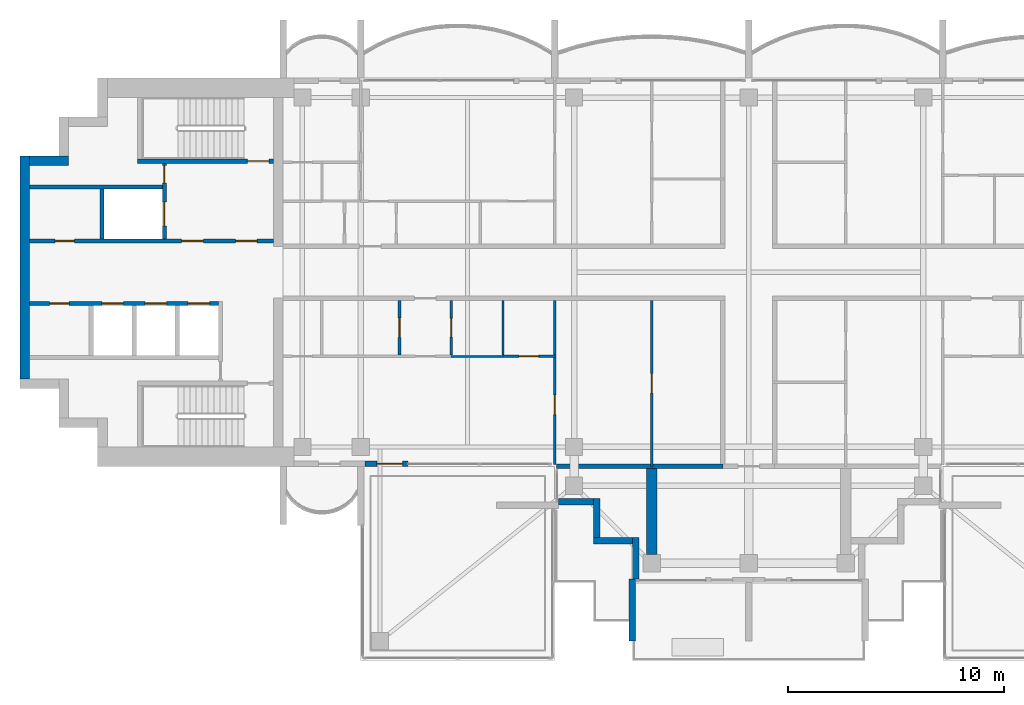
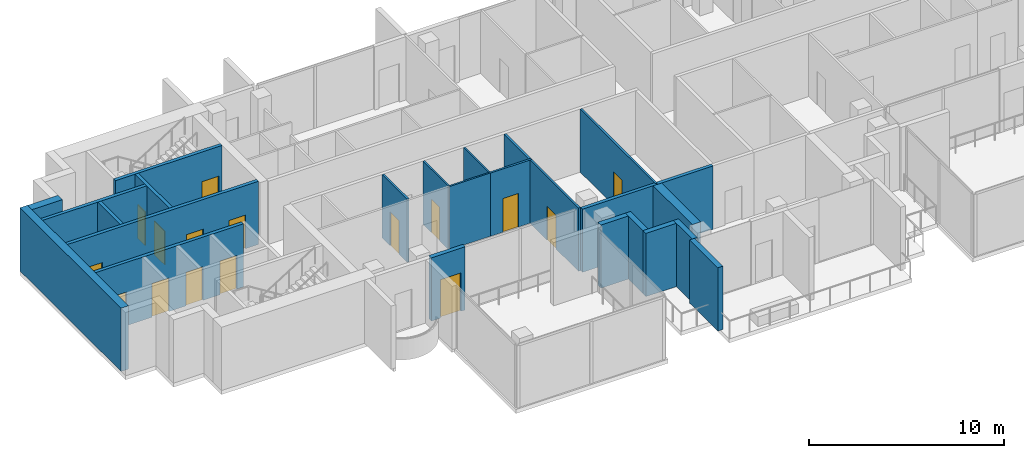
# One storey, part 7 of 16: 23 walls, 16 doors, 16 openings.
"""IFC4 building model written with IfcOpenShell, lengths in metres."""

from ifc_helpers import new_model, si_unit, direction, frame, frame_2d, origin, place, context, subcontext, project, spatial, polyline, rectangle, outline, extrude, material, layer, layer_set, material_profile, profile_set, type_object, element, fill, save


model = new_model("IFC4")

# Units and contexts
model_context = context("Model", 3, precision=1e-05, world=origin(), true_north=direction((0.0, 1.0)))
body_context = subcontext(model_context, "Body", "Model", "MODEL_VIEW")
ifc_project = project(units=[si_unit("LENGTHUNIT", "METRE"), si_unit("AREAUNIT", "SQUARE_METRE"), si_unit("VOLUMEUNIT", "CUBIC_METRE"), si_unit("PLANEANGLEUNIT", "RADIAN"), si_unit("MASSUNIT", "GRAM", prefix="KILO")], contexts=[model_context])

# Site, building, storey
site_placement = place(None, origin())
site = spatial("IfcSite", under=ifc_project, at=site_placement, CompositionType="ELEMENT")
building_placement = place(site_placement, origin())
building = spatial("IfcBuilding", under=site, at=building_placement, Name="Perihelion Cross Residences", CompositionType="ELEMENT")
storey_placement = place(building_placement, frame((0.0, 0.0, 290.39990234375)))
storey = spatial("IfcBuildingStorey", under=building, at=storey_placement, Name="L74", CompositionType="ELEMENT", Elevation=290.39990234375)

# Wall
ifc_material_1 = material(Name="Plasterboard partition")
ifc_layer_1 = layer(ifc_material_1, 0.199951171875)
ifc_layer_set_1 = layer_set([ifc_layer_1], Name="Apartment separation wall 200")
wall_type_1 = type_object("IfcWallType", Name="Apartment separation wall 200", PredefinedType="PARTITIONING", material=ifc_layer_set_1)
wall_1_placement = place(storey_placement, frame((-1.199951171875, -9.0, 0.0), z_axis=(0.0, 0.0, 1.0), x_axis=(-1.0, 0.0, 0.0)))
element("IfcWall", 1, at=wall_1_placement, inside=storey, type_object=wall_type_1, Name="Partition L74 W059", PredefinedType="PARTITIONING", context=body_context, shape_type="SweptSolid", body=[
    extrude(rectangle(XDim=7.719970703125, YDim=0.199951171875, at=frame_2d((3.85986328125, 0.0))), origin(), (0.0, 0.0, 1.0), 3.9501953125),
])

# Wall, opening, door
ifc_material_2 = material(Name="Concrete C30/37, bronze-clad", Category="concrete")
ifc_layer_2 = layer(ifc_material_2, 0.25)
ifc_layer_set_2 = layer_set([ifc_layer_2], Name="Bronze-clad pier wall 250")
wall_type_2 = type_object("IfcWallType", Name="Bronze-clad pier wall 250", PredefinedType="SOLIDWALL", material=ifc_layer_set_2)
wall_2_placement = place(storey_placement, frame((-17.800048828125, -8.875, 0.0), z_axis=(0.0, 0.0, 1.0), x_axis=(1.0, 0.0, 0.0)))
wall_2 = element("IfcWall", 2, at=wall_2_placement, inside=storey, type_object=wall_type_2, Name="Wall FW1 L74 west side south bay 2 pier", PredefinedType="SOLIDWALL", context=body_context, shape_type="SweptSolid", body=[
    extrude(rectangle(XDim=2.0, YDim=0.25, at=frame_2d((1.0, 0.0))), origin(), (0.0, 0.0, 1.0), 3.9501953125),
])
opening_1_placement = place(wall_2_placement, frame((0.550048828125, 0.0, 0.0)))
opening_1 = element("IfcOpeningElement", 3, at=opening_1_placement, cuts=wall_2, Name="Opening L74.E08", PredefinedType="OPENING", context=body_context, shape_type="SweptSolid", body=[
    extrude(rectangle(XDim=1.199951171875, YDim=2.39990234375, at=frame_2d((0.60009765625, 1.199951171875))), frame((0.0, 0.135009765625, 0.0), z_axis=(0.0, -1.0, 0.0), x_axis=(1.0, 0.0, 0.0)), (0.0, 0.0, 1.0), 0.27001953125),
])
ifc_material_3 = material(Name="Bronze anodised aluminium, glazed", Category="aluminium")
door_type_1 = type_object("IfcDoorType", Name="Balcony door 1200 x 2400", OperationType="NOTDEFINED", PredefinedType="DOOR", material=ifc_material_3)
door_1_placement = place(opening_1_placement, origin())
door_1 = element("IfcDoor", 4, at=door_1_placement, inside=storey, type_object=door_type_1, Name="Door L74.E08 west side south bay 2", OperationType="SINGLE_SWING_RIGHT", OverallHeight=2.39990234375, OverallWidth=1.199951171875, PredefinedType="DOOR", context=body_context, shape_type="SweptSolid", body=[
    extrude(rectangle(XDim=1.199951171875, YDim=2.39990234375, at=frame_2d((0.60009765625, 1.199951171875))), frame((0.0, 0.02490234375, 0.0), z_axis=(0.0, -1.0, 0.0), x_axis=(1.0, 0.0, 0.0)), (0.0, 0.0, 1.0), 0.050048828125),
])
fill(opening_1, door_1)

# Walls
ifc_material_4 = material(Name="Concrete C30/37, bronze-clad", Category="concrete")
ifc_layer_3 = layer(ifc_material_4, 0.300048828125)
ifc_layer_set_3 = layer_set([ifc_layer_3], Name="Bronze-clad serration wall 300")
wall_type_3 = type_object("IfcWallType", Name="Bronze-clad serration wall 300", PredefinedType="SOLIDWALL", material=ifc_layer_set_3)
wall_3_placement = place(storey_placement, frame((-8.820068359375, -10.64990234375, 0.0), z_axis=(0.0, 0.0, 1.0), x_axis=(1.0, 0.0, 0.0)))
element("IfcWall", 5, at=wall_3_placement, inside=storey, type_object=wall_type_3, Name="Wall SR1 L74 south corner south-west 1", PredefinedType="SOLIDWALL", context=body_context, shape_type="SweptSolid", body=[
    extrude(rectangle(XDim=1.6201171875, YDim=0.300048828125, at=frame_2d((0.81005859375, 0.0))), origin(), (0.0, 0.0, 1.0), 3.9501953125),
])
for number, where, z_axis, x_axis, name in (
    (6, (-7.050048828125, -10.5, 0.0), (0.0, 0.0, 1.0), (0.0, -1.0, 0.0), "Wall SR1 L74 south corner south-west 2"),
    (7, (-7.199951171875, -12.449951171875, 0.0), (0.0, 0.0, 1.0), (1.0, 0.0, 0.0), "Wall SR1 L74 south corner south-west 3"),
):
    element("IfcWall", number, at=place(storey_placement, frame(where, z_axis=z_axis, x_axis=x_axis)), inside=storey, type_object=wall_type_3, Name=name, PredefinedType="SOLIDWALL", context=body_context, shape_type="SweptSolid", body=[
        extrude(rectangle(XDim=1.800048828125, YDim=0.300048828125, at=frame_2d((0.89990234375, 0.0))), origin(), (0.0, 0.0, 1.0), 3.9501953125),
    ])
wall_4_placement = place(storey_placement, frame((-5.25, -12.300048828125, 0.0), z_axis=(0.0, 0.0, 1.0), x_axis=(0.0, -1.0, 0.0)))
element("IfcWall", 8, at=wall_4_placement, inside=storey, type_object=wall_type_3, Name="Wall SR1 L74 south corner south-west 4", PredefinedType="SOLIDWALL", context=body_context, shape_type="SweptSolid", body=[
    extrude(rectangle(XDim=1.919921875, YDim=0.300048828125, at=frame_2d((0.9599609375, 0.0))), origin(), (0.0, 0.0, 1.0), 3.9501953125),
])
ifc_material_5 = material(Name="Concrete C60/75", Category="concrete")
ifc_layer_4 = layer(ifc_material_5, 0.449951171875)
ifc_layer_set_4 = layer_set([ifc_layer_4], Name="Core wall, outer 450")
wall_type_4 = type_object("IfcWallType", Name="Core wall, outer 450", PredefinedType="SHEAR", material=ifc_layer_set_4)
wall_5_placement = place(storey_placement, frame((-33.574951171875, -4.949951171875, 0.0), z_axis=(0.0, 0.0, 1.0), x_axis=(0.0, 1.0, 0.0)))
element("IfcWall", 9, at=wall_5_placement, inside=storey, type_object=wall_type_4, Name="West core core wall, outer", PredefinedType="SHEAR", context=body_context, shape_type="SweptSolid", body=[
    extrude(rectangle(XDim=10.349853515625, YDim=0.449951171875, at=frame_2d((5.1748046875, 0.0))), origin(), (0.0, 0.0, 1.0), 3.9501953125),
])
wall_6_placement = place(storey_placement, frame((-33.35009765625, 5.175048828125, 0.0), z_axis=(0.0, 0.0, 1.0), x_axis=(1.0, 0.0, 0.0)))
element("IfcWall", 10, at=wall_6_placement, inside=storey, type_object=wall_type_4, Name="West core core wall, outer", PredefinedType="SHEAR", context=body_context, shape_type="SweptSolid", body=[
    extrude(rectangle(XDim=1.800048828125, YDim=0.449951171875, at=frame_2d((0.89990234375, 0.0))), origin(), (0.0, 0.0, 1.0), 3.9501953125),
])

# Wall, opening, door
ifc_material_6 = material(Name="Plasterboard partition")
ifc_layer_5 = layer(ifc_material_6, 0.1201171875)
ifc_layer_set_5 = layer_set([ifc_layer_5], Name="Partition wall 120")
wall_type_5 = type_object("IfcWallType", Name="Partition wall 120", PredefinedType="PARTITIONING", material=ifc_layer_set_5)
wall_7_placement = place(storey_placement, frame((-8.93994140625, -3.89990234375, 0.0), z_axis=(0.0, 0.0, 1.0), x_axis=(-1.0, 0.0, 0.0)))
wall_7 = element("IfcWall", 11, at=wall_7_placement, inside=storey, type_object=wall_type_5, Name="Partition L74 W051", PredefinedType="PARTITIONING", context=body_context, shape_type="SweptSolid", body=[
    extrude(rectangle(XDim=2.4599609375, YDim=0.1201171875, at=frame_2d((1.22998046875, 0.0))), origin(), (0.0, 0.0, 1.0), 3.9501953125),
])
opening_2_placement = place(wall_7_placement, frame((0.81005859375, 0.0, 0.0)))
opening_2 = element("IfcOpeningElement", 12, at=opening_2_placement, cuts=wall_7, Name="Opening L74.A33", PredefinedType="OPENING", context=body_context, shape_type="SweptSolid", body=[
    extrude(rectangle(XDim=0.89990234375, YDim=2.10009765625, at=frame_2d((0.449951171875, 1.050048828125))), frame((0.0, 0.070068359375, 0.0), z_axis=(0.0, -1.0, 0.0), x_axis=(1.0, 0.0, 0.0)), (0.0, 0.0, 1.0), 0.14013671875),
])
ifc_material_7 = material(Name="Timber door leaf", Category="wood")
door_type_2 = type_object("IfcDoorType", Name="Interior room door 900 x 2100", OperationType="SINGLE_SWING_LEFT", PredefinedType="DOOR", material=ifc_material_7)
door_2_placement = place(opening_2_placement, origin())
door_2 = element("IfcDoor", 13, at=door_2_placement, inside=storey, type_object=door_type_2, Name="Door L74.A33", OperationType="SINGLE_SWING_RIGHT", OverallHeight=2.10009765625, OverallWidth=0.89990234375, PredefinedType="DOOR", context=body_context, shape_type="SweptSolid", body=[
    extrude(rectangle(XDim=0.89990234375, YDim=2.10009765625, at=frame_2d((0.449951171875, 1.050048828125))), frame((0.0, 0.02490234375, 0.0), z_axis=(0.0, -1.0, 0.0), x_axis=(1.0, 0.0, 0.0)), (0.0, 0.0, 1.0), 0.050048828125),
])
fill(opening_2, door_2)

wall_8_placement = place(storey_placement, frame((-9.0, -1.300048828125, 0.0), z_axis=(0.0, 0.0, 1.0), x_axis=(0.0, -1.0, 0.0)))
wall_8 = element("IfcWall", 14, at=wall_8_placement, inside=storey, type_object=wall_type_5, Name="Partition L74 W052", PredefinedType="PARTITIONING", context=body_context, shape_type="SweptSolid", body=[
    extrude(rectangle(XDim=7.619873046875, YDim=0.1201171875, at=frame_2d((3.81005859375, 0.0))), origin(), (0.0, 0.0, 1.0), 3.9501953125),
])
opening_3_placement = place(wall_8_placement, frame((4.39990234375, 0.0, 0.0)))
opening_3 = element("IfcOpeningElement", 15, at=opening_3_placement, cuts=wall_8, Name="Opening L74.A30", PredefinedType="OPENING", context=body_context, shape_type="SweptSolid", body=[
    extrude(rectangle(XDim=0.89990234375, YDim=2.10009765625, at=frame_2d((0.449951171875, 1.050048828125))), frame((0.0, 0.070068359375, 0.0), z_axis=(0.0, -1.0, 0.0), x_axis=(1.0, 0.0, 0.0)), (0.0, 0.0, 1.0), 0.14013671875),
])
door_3_placement = place(opening_3_placement, origin())
door_3 = element("IfcDoor", 16, at=door_3_placement, inside=storey, type_object=door_type_2, Name="Door L74.A30", OperationType="SINGLE_SWING_RIGHT", OverallHeight=2.10009765625, OverallWidth=0.89990234375, PredefinedType="DOOR", context=body_context, shape_type="SweptSolid", body=[
    extrude(rectangle(XDim=0.89990234375, YDim=2.10009765625, at=frame_2d((0.449951171875, 1.050048828125))), frame((0.0, 0.02490234375, 0.0), z_axis=(0.0, -1.0, 0.0), x_axis=(1.0, 0.0, 0.0)), (0.0, 0.0, 1.0), 0.050048828125),
])
fill(opening_3, door_3)

wall_9_placement = place(storey_placement, frame((-16.199951171875, -3.840087890625, 0.0), z_axis=(0.0, 0.0, 1.0), x_axis=(0.0, 1.0, 0.0)))
wall_9 = element("IfcWall", 17, at=wall_9_placement, inside=storey, type_object=wall_type_5, Name="Partition L74 W055", PredefinedType="PARTITIONING", context=body_context, shape_type="SweptSolid", body=[
    extrude(rectangle(XDim=2.5400390625, YDim=0.1201171875, at=frame_2d((1.27001953125, 0.0))), origin(), (0.0, 0.0, 1.0), 3.9501953125),
])
opening_4_placement = place(wall_9_placement, frame((0.820068359375, 0.0, 0.0)))
opening_4 = element("IfcOpeningElement", 18, at=opening_4_placement, cuts=wall_9, Name="Opening L74.A28", PredefinedType="OPENING", context=body_context, shape_type="SweptSolid", body=[
    extrude(rectangle(XDim=0.89990234375, YDim=2.10009765625, at=frame_2d((0.449951171875, 1.050048828125))), frame((0.0, 0.070068359375, 0.0), z_axis=(0.0, -1.0, 0.0), x_axis=(1.0, 0.0, 0.0)), (0.0, 0.0, 1.0), 0.14013671875),
])
door_4_placement = place(opening_4_placement, origin())
door_4 = element("IfcDoor", 19, at=door_4_placement, inside=storey, type_object=door_type_2, Name="Door L74.A28", OperationType="SINGLE_SWING_RIGHT", OverallHeight=2.10009765625, OverallWidth=0.89990234375, PredefinedType="DOOR", context=body_context, shape_type="SweptSolid", body=[
    extrude(rectangle(XDim=0.89990234375, YDim=2.10009765625, at=frame_2d((0.449951171875, 1.050048828125))), frame((0.0, 0.02490234375, 0.0), z_axis=(0.0, -1.0, 0.0), x_axis=(1.0, 0.0, 0.0)), (0.0, 0.0, 1.0), 0.050048828125),
])
fill(opening_4, door_4)

wall_10_placement = place(storey_placement, frame((-4.5, -1.300048828125, 0.0), z_axis=(0.0, 0.0, 1.0), x_axis=(0.0, -1.0, 0.0)))
wall_10 = element("IfcWall", 20, at=wall_10_placement, inside=storey, type_object=wall_type_5, Name="Partition L74 W058", PredefinedType="PARTITIONING", context=body_context, shape_type="SweptSolid", body=[
    extrude(rectangle(XDim=7.699951171875, YDim=0.1201171875, at=frame_2d((3.85009765625, 0.0))), origin(), (0.0, 0.0, 1.0), 3.9501953125),
])
opening_5_placement = place(wall_10_placement, frame((3.39990234375, 0.0, 0.0)))
opening_5 = element("IfcOpeningElement", 21, at=opening_5_placement, cuts=wall_10, Name="Opening L74.A31", PredefinedType="OPENING", context=body_context, shape_type="SweptSolid", body=[
    extrude(rectangle(XDim=0.89990234375, YDim=2.10009765625, at=frame_2d((0.449951171875, 1.050048828125))), frame((0.0, 0.070068359375, 0.0), z_axis=(0.0, -1.0, 0.0), x_axis=(1.0, 0.0, 0.0)), (0.0, 0.0, 1.0), 0.14013671875),
])
door_5_placement = place(opening_5_placement, origin())
door_5 = element("IfcDoor", 22, at=door_5_placement, inside=storey, type_object=door_type_2, Name="Door L74.A31", OperationType="SINGLE_SWING_RIGHT", OverallHeight=2.10009765625, OverallWidth=0.89990234375, PredefinedType="DOOR", context=body_context, shape_type="SweptSolid", body=[
    extrude(rectangle(XDim=0.89990234375, YDim=2.10009765625, at=frame_2d((0.449951171875, 1.050048828125))), frame((0.0, 0.02490234375, 0.0), z_axis=(0.0, -1.0, 0.0), x_axis=(1.0, 0.0, 0.0)), (0.0, 0.0, 1.0), 0.050048828125),
])
fill(opening_5, door_5)

# Wall
ifc_material_8 = material(Name="Precast concrete C50/60", Category="concrete")
ifc_layer_6 = layer(ifc_material_8, 0.300048828125)
ifc_layer_set_6 = layer_set([ifc_layer_6], Name="Precast concrete C50/60 blade wall 300")
wall_type_6 = type_object("IfcWallType", Name="Precast concrete C50/60 blade wall 300", PredefinedType="SOLIDWALL", material=ifc_layer_set_6)
wall_11_placement = place(storey_placement, frame((-5.39990234375, -14.219970703125, 0.0), z_axis=(0.0, 0.0, 1.0), x_axis=(0.0, -1.0, 0.0)))
element("IfcWall", 23, at=wall_11_placement, inside=storey, type_object=wall_type_6, Name="Wall BL1 L74 no. 5", PredefinedType="SOLIDWALL", context=body_context, shape_type="SweptSolid", body=[
    extrude(rectangle(XDim=2.880126953125, YDim=0.300048828125, at=frame_2d((1.43994140625, 0.0))), origin(), (0.0, 0.0, 1.0), 3.9501953125),
])

# Wall, openings, doors
ifc_material_9 = material(Name="Concrete C50/60", Category="concrete")
ifc_layer_7 = layer(ifc_material_9, 0.199951171875)
ifc_layer_set_7 = layer_set([ifc_layer_7], Name="Shaft wall 200")
wall_type_7 = type_object("IfcWallType", Name="Shaft wall 200", PredefinedType="SOLIDWALL", material=ifc_layer_set_7)
wall_12_placement = place(storey_placement, frame((-33.35009765625, 1.449951171875, 0.0), z_axis=(0.0, 0.0, 1.0), x_axis=(1.0, 0.0, 0.0)))
wall_12 = element("IfcWall", 24, at=wall_12_placement, inside=storey, type_object=wall_type_7, Name="West core shaft wall", PredefinedType="SOLIDWALL", context=body_context, shape_type="SweptSolid", body=[
    extrude(rectangle(XDim=11.300048828125, YDim=0.199951171875, at=frame_2d((5.64990234375, 0.0))), origin(), (0.0, 0.0, 1.0), 3.9501953125),
])
opening_6_placement = place(wall_12_placement, frame((9.550048828125, 0.0, 0.0)))
opening_6 = element("IfcOpeningElement", 25, at=opening_6_placement, cuts=wall_12, Name="Opening L74.C19", PredefinedType="OPENING", context=body_context, shape_type="SweptSolid", body=[
    extrude(rectangle(XDim=1.0, YDim=2.10009765625, at=frame_2d((0.5, 1.050048828125))), frame((0.0, 0.10986328125, 0.0), z_axis=(0.0, -1.0, 0.0), x_axis=(1.0, 0.0, 0.0)), (0.0, 0.0, 1.0), 0.219970703125),
])
opening_7_placement = place(wall_12_placement, frame((7.050048828125, 0.0, 0.0)))
opening_7 = element("IfcOpeningElement", 26, at=opening_7_placement, cuts=wall_12, Name="Opening L74.C21", PredefinedType="OPENING", context=body_context, shape_type="SweptSolid", body=[
    extrude(rectangle(XDim=1.0, YDim=2.10009765625, at=frame_2d((0.5, 1.050048828125))), frame((0.0, 0.10986328125, 0.0), z_axis=(0.0, -1.0, 0.0), x_axis=(1.0, 0.0, 0.0)), (0.0, 0.0, 1.0), 0.219970703125),
])
opening_8_placement = place(wall_12_placement, frame((1.175048828125, 0.0, 0.0)))
opening_8 = element("IfcOpeningElement", 27, at=opening_8_placement, cuts=wall_12, Name="Opening L74.C23", PredefinedType="OPENING", context=body_context, shape_type="SweptSolid", body=[
    extrude(rectangle(XDim=0.89990234375, YDim=2.10009765625, at=frame_2d((0.449951171875, 1.050048828125))), frame((0.0, 0.10986328125, 0.0), z_axis=(0.0, -1.0, 0.0), x_axis=(1.0, 0.0, 0.0)), (0.0, 0.0, 1.0), 0.219970703125),
])
ifc_material_10 = material(Name="Steel, powder coated", Category="steel")
door_type_3 = type_object("IfcDoorType", Name="Lobby door 1000", OperationType="SINGLE_SWING_LEFT", PredefinedType="DOOR", material=ifc_material_10)
door_6_placement = place(opening_6_placement, origin())
door_6 = element("IfcDoor", 28, at=door_6_placement, inside=storey, type_object=door_type_3, Name="West core firefighting lobby door", OperationType="SINGLE_SWING_LEFT", OverallHeight=2.10009765625, OverallWidth=1.0, PredefinedType="DOOR", context=body_context, shape_type="SweptSolid", body=[
    extrude(rectangle(XDim=1.0, YDim=2.10009765625, at=frame_2d((0.5, 1.050048828125))), frame((0.0, 0.02490234375, 0.0), z_axis=(0.0, -1.0, 0.0), x_axis=(1.0, 0.0, 0.0)), (0.0, 0.0, 1.0), 0.050048828125),
])
fill(opening_6, door_6)
door_7_placement = place(opening_7_placement, origin())
door_7 = element("IfcDoor", 29, at=door_7_placement, inside=storey, type_object=door_type_3, Name="West core firefighting lobby door", OperationType="SINGLE_SWING_LEFT", OverallHeight=2.10009765625, OverallWidth=1.0, PredefinedType="DOOR", context=body_context, shape_type="SweptSolid", body=[
    extrude(rectangle(XDim=1.0, YDim=2.10009765625, at=frame_2d((0.5, 1.050048828125))), frame((0.0, 0.02490234375, 0.0), z_axis=(0.0, -1.0, 0.0), x_axis=(1.0, 0.0, 0.0)), (0.0, 0.0, 1.0), 0.050048828125),
])
fill(opening_7, door_7)
ifc_material_11 = material(Name="Steel, powder coated", Category="steel")
door_type_4 = type_object("IfcDoorType", Name="Service room door 900", OperationType="SINGLE_SWING_LEFT", PredefinedType="DOOR", material=ifc_material_11)
door_8_placement = place(opening_8_placement, origin())
door_8 = element("IfcDoor", 30, at=door_8_placement, inside=storey, type_object=door_type_4, Name="West core service room door", OperationType="SINGLE_SWING_LEFT", OverallHeight=2.10009765625, OverallWidth=0.89990234375, PredefinedType="DOOR", context=body_context, shape_type="SweptSolid", body=[
    extrude(rectangle(XDim=0.89990234375, YDim=2.10009765625, at=frame_2d((0.449951171875, 1.050048828125))), frame((0.0, 0.02490234375, 0.0), z_axis=(0.0, -1.0, 0.0), x_axis=(1.0, 0.0, 0.0)), (0.0, 0.0, 1.0), 0.050048828125),
])
fill(opening_8, door_8)

wall_13_placement = place(storey_placement, frame((-33.35009765625, -1.449951171875, 0.0), z_axis=(0.0, 0.0, 1.0), x_axis=(1.0, 0.0, 0.0)))
wall_13 = element("IfcWall", 31, at=wall_13_placement, inside=storey, type_object=wall_type_7, Name="West core shaft wall", PredefinedType="SOLIDWALL", context=body_context, shape_type="SweptSolid", body=[
    extrude(rectangle(XDim=8.75, YDim=0.199951171875, at=frame_2d((4.375, 0.0))), origin(), (0.0, 0.0, 1.0), 3.9501953125),
])
opening_9_placement = place(wall_13_placement, frame((7.35009765625, 0.0, 0.0)))
opening_9 = element("IfcOpeningElement", 32, at=opening_9_placement, cuts=wall_13, Name="Opening L74.C13", PredefinedType="OPENING", context=body_context, shape_type="SweptSolid", body=[
    extrude(rectangle(XDim=1.0, YDim=2.10009765625, at=frame_2d((0.5, 1.050048828125))), frame((0.0, 0.10986328125, 0.0), z_axis=(0.0, -1.0, 0.0), x_axis=(1.0, 0.0, 0.0)), (0.0, 0.0, 1.0), 0.219970703125),
])
opening_10_placement = place(wall_13_placement, frame((5.35009765625, 0.0, 0.0)))
opening_10 = element("IfcOpeningElement", 33, at=opening_10_placement, cuts=wall_13, Name="Opening L74.C15", PredefinedType="OPENING", context=body_context, shape_type="SweptSolid", body=[
    extrude(rectangle(XDim=1.0, YDim=2.10009765625, at=frame_2d((0.5, 1.050048828125))), frame((0.0, 0.10986328125, 0.0), z_axis=(0.0, -1.0, 0.0), x_axis=(1.0, 0.0, 0.0)), (0.0, 0.0, 1.0), 0.219970703125),
])
opening_11_placement = place(wall_13_placement, frame((3.35009765625, 0.0, 0.0)))
opening_11 = element("IfcOpeningElement", 34, at=opening_11_placement, cuts=wall_13, Name="Opening L74.C16", PredefinedType="OPENING", context=body_context, shape_type="SweptSolid", body=[
    extrude(rectangle(XDim=1.0, YDim=2.10009765625, at=frame_2d((0.5, 1.050048828125))), frame((0.0, 0.10986328125, 0.0), z_axis=(0.0, -1.0, 0.0), x_axis=(1.0, 0.0, 0.0)), (0.0, 0.0, 1.0), 0.219970703125),
])
opening_12_placement = place(wall_13_placement, frame((0.925048828125, 0.0, 0.0)))
opening_12 = element("IfcOpeningElement", 35, at=opening_12_placement, cuts=wall_13, Name="Opening L74.C24", PredefinedType="OPENING", context=body_context, shape_type="SweptSolid", body=[
    extrude(rectangle(XDim=0.89990234375, YDim=2.10009765625, at=frame_2d((0.449951171875, 1.050048828125))), frame((0.0, 0.10986328125, 0.0), z_axis=(0.0, -1.0, 0.0), x_axis=(1.0, 0.0, 0.0)), (0.0, 0.0, 1.0), 0.219970703125),
])
ifc_material_12 = material(Name="Stainless steel", Category="steel")
door_type_5 = type_object("IfcDoorType", Name="Landing door 1000", OperationType="DOUBLE_DOOR_SLIDING", PredefinedType="DOOR", material=ifc_material_12)
door_9_placement = place(opening_9_placement, origin())
door_9 = element("IfcDoor", 36, at=door_9_placement, inside=storey, type_object=door_type_5, Name="Landing door, West core high-rise lift 1", OperationType="DOUBLE_DOOR_SLIDING", OverallHeight=2.10009765625, OverallWidth=1.0, PredefinedType="DOOR", context=body_context, shape_type="SweptSolid", body=[
    extrude(rectangle(XDim=1.0, YDim=2.10009765625, at=frame_2d((0.5, 1.050048828125))), frame((0.0, 0.02490234375, 0.0), z_axis=(0.0, -1.0, 0.0), x_axis=(1.0, 0.0, 0.0)), (0.0, 0.0, 1.0), 0.050048828125),
])
fill(opening_9, door_9)
door_10_placement = place(opening_10_placement, origin())
door_10 = element("IfcDoor", 37, at=door_10_placement, inside=storey, type_object=door_type_5, Name="Landing door, West core high-rise lift 2", OperationType="DOUBLE_DOOR_SLIDING", OverallHeight=2.10009765625, OverallWidth=1.0, PredefinedType="DOOR", context=body_context, shape_type="SweptSolid", body=[
    extrude(rectangle(XDim=1.0, YDim=2.10009765625, at=frame_2d((0.5, 1.050048828125))), frame((0.0, 0.02490234375, 0.0), z_axis=(0.0, -1.0, 0.0), x_axis=(1.0, 0.0, 0.0)), (0.0, 0.0, 1.0), 0.050048828125),
])
fill(opening_10, door_10)
door_11_placement = place(opening_11_placement, origin())
door_11 = element("IfcDoor", 38, at=door_11_placement, inside=storey, type_object=door_type_5, Name="Landing door, West core high-rise lift 3", OperationType="DOUBLE_DOOR_SLIDING", OverallHeight=2.10009765625, OverallWidth=1.0, PredefinedType="DOOR", context=body_context, shape_type="SweptSolid", body=[
    extrude(rectangle(XDim=1.0, YDim=2.10009765625, at=frame_2d((0.5, 1.050048828125))), frame((0.0, 0.02490234375, 0.0), z_axis=(0.0, -1.0, 0.0), x_axis=(1.0, 0.0, 0.0)), (0.0, 0.0, 1.0), 0.050048828125),
])
fill(opening_11, door_11)
door_12_placement = place(opening_12_placement, origin())
door_12 = element("IfcDoor", 39, at=door_12_placement, inside=storey, type_object=door_type_4, Name="West core service room door", OperationType="SINGLE_SWING_LEFT", OverallHeight=2.10009765625, OverallWidth=0.89990234375, PredefinedType="DOOR", context=body_context, shape_type="SweptSolid", body=[
    extrude(rectangle(XDim=0.89990234375, YDim=2.10009765625, at=frame_2d((0.449951171875, 1.050048828125))), frame((0.0, 0.02490234375, 0.0), z_axis=(0.0, -1.0, 0.0), x_axis=(1.0, 0.0, 0.0)), (0.0, 0.0, 1.0), 0.050048828125),
])
fill(opening_12, door_12)

# Wall
wall_14_placement = place(storey_placement, frame((-33.35009765625, 3.949951171875, 0.0), z_axis=(0.0, 0.0, 1.0), x_axis=(1.0, 0.0, 0.0)))
element("IfcWall", 40, at=wall_14_placement, inside=storey, type_object=wall_type_7, Name="West core shaft wall", PredefinedType="SOLIDWALL", context=body_context, shape_type="SweptSolid", body=[
    extrude(rectangle(XDim=6.150146484375, YDim=0.199951171875, at=frame_2d((3.0751953125, 0.0))), origin(), (0.0, 0.0, 1.0), 3.9501953125),
])

# Wall, openings, doors
wall_15_placement = place(storey_placement, frame((-27.10009765625, 1.550048828125, 0.0), z_axis=(0.0, 0.0, 1.0), x_axis=(0.0, 1.0, 0.0)))
wall_15 = element("IfcWall", 41, at=wall_15_placement, inside=storey, type_object=wall_type_7, Name="West core shaft wall", PredefinedType="SOLIDWALL", context=body_context, shape_type="SweptSolid", body=[
    extrude(rectangle(XDim=3.5, YDim=0.199951171875, at=frame_2d((1.75, 0.0))), origin(), (0.0, 0.0, 1.0), 3.9501953125),
])
opening_13_placement = place(wall_15_placement, frame((0.60009765625, 0.0, 0.0)))
opening_13 = element("IfcOpeningElement", 42, at=opening_13_placement, cuts=wall_15, Name="Opening L74.C14", PredefinedType="OPENING", context=body_context, shape_type="SweptSolid", body=[
    extrude(rectangle(XDim=1.10009765625, YDim=2.10009765625, at=frame_2d((0.550048828125, 1.050048828125))), frame((0.0, 0.10986328125, 0.0), z_axis=(0.0, -1.0, 0.0), x_axis=(1.0, 0.0, 0.0)), (0.0, 0.0, 1.0), 0.219970703125),
])
opening_14_placement = place(wall_15_placement, frame((2.60009765625, 0.0, 0.0)))
opening_14 = element("IfcOpeningElement", 43, at=opening_14_placement, cuts=wall_15, Name="Opening L74.C22", PredefinedType="OPENING", context=body_context, shape_type="SweptSolid", body=[
    extrude(rectangle(XDim=0.800048828125, YDim=2.10009765625, at=frame_2d((0.39990234375, 1.050048828125))), frame((0.0, 0.10986328125, 0.0), z_axis=(0.0, -1.0, 0.0), x_axis=(1.0, 0.0, 0.0)), (0.0, 0.0, 1.0), 0.219970703125),
])
ifc_material_13 = material(Name="Stainless steel", Category="steel")
door_type_6 = type_object("IfcDoorType", Name="Landing door, firefighting lift 1100", OperationType="DOUBLE_DOOR_SLIDING", PredefinedType="DOOR", material=ifc_material_13)
door_13_placement = place(opening_13_placement, origin())
door_13 = element("IfcDoor", 44, at=door_13_placement, inside=storey, type_object=door_type_6, Name="Landing door, West core firefighting and service lift", OperationType="DOUBLE_DOOR_SLIDING", OverallHeight=2.10009765625, OverallWidth=1.10009765625, PredefinedType="DOOR", context=body_context, shape_type="SweptSolid", body=[
    extrude(rectangle(XDim=1.10009765625, YDim=2.10009765625, at=frame_2d((0.550048828125, 1.050048828125))), frame((0.0, 0.02490234375, 0.0), z_axis=(0.0, -1.0, 0.0), x_axis=(1.0, 0.0, 0.0)), (0.0, 0.0, 1.0), 0.050048828125),
])
fill(opening_13, door_13)
ifc_material_14 = material(Name="Steel, powder coated", Category="steel")
door_type_7 = type_object("IfcDoorType", Name="Riser door 800", OperationType="SINGLE_SWING_LEFT", PredefinedType="DOOR", material=ifc_material_14)
door_14_placement = place(opening_14_placement, origin())
door_14 = element("IfcDoor", 45, at=door_14_placement, inside=storey, type_object=door_type_7, Name="West core riser door", OperationType="SINGLE_SWING_LEFT", OverallHeight=2.10009765625, OverallWidth=0.800048828125, PredefinedType="DOOR", context=body_context, shape_type="SweptSolid", body=[
    extrude(rectangle(XDim=0.800048828125, YDim=2.10009765625, at=frame_2d((0.39990234375, 1.050048828125))), frame((0.0, 0.02490234375, 0.0), z_axis=(0.0, -1.0, 0.0), x_axis=(1.0, 0.0, 0.0)), (0.0, 0.0, 1.0), 0.050048828125),
])
fill(opening_14, door_14)

# Wall
wall_16_placement = place(storey_placement, frame((-30.0, 1.550048828125, 0.0), z_axis=(0.0, 0.0, 1.0), x_axis=(0.0, 1.0, 0.0)))
element("IfcWall", 46, at=wall_16_placement, inside=storey, type_object=wall_type_7, Name="West core shaft wall", PredefinedType="SOLIDWALL", context=body_context, shape_type="SweptSolid", body=[
    extrude(rectangle(XDim=2.300048828125, YDim=0.199951171875, at=frame_2d((1.14990234375, 0.0))), origin(), (0.0, 0.0, 1.0), 3.9501953125),
])

# Wall, opening, door
ifc_material_15 = material(Name="Concrete C50/60", Category="concrete")
ifc_layer_8 = layer(ifc_material_15, 0.199951171875)
ifc_layer_set_8 = layer_set([ifc_layer_8], Name="Stair wall 200")
wall_type_8 = type_object("IfcWallType", Name="Stair wall 200", PredefinedType="SOLIDWALL", material=ifc_layer_set_8)
wall_17_placement = place(storey_placement, frame((-28.35009765625, 5.14990234375, 0.0), z_axis=(0.0, 0.0, 1.0), x_axis=(1.0, 0.0, 0.0)))
wall_17 = element("IfcWall", 47, at=wall_17_placement, inside=storey, type_object=wall_type_8, Name="West core stair wall", PredefinedType="SOLIDWALL", context=body_context, shape_type="SweptSolid", body=[
    extrude(rectangle(XDim=6.300048828125, YDim=0.199951171875, at=frame_2d((3.14990234375, 0.0))), origin(), (0.0, 0.0, 1.0), 3.9501953125),
])
opening_15_placement = place(wall_17_placement, frame((5.10009765625, 0.0, 0.0)))
opening_15 = element("IfcOpeningElement", 48, at=opening_15_placement, cuts=wall_17, Name="Opening L74.C18", PredefinedType="OPENING", context=body_context, shape_type="SweptSolid", body=[
    extrude(rectangle(XDim=1.0, YDim=2.10009765625, at=frame_2d((0.5, 1.050048828125))), frame((0.0, 0.10986328125, 0.0), z_axis=(0.0, -1.0, 0.0), x_axis=(1.0, 0.0, 0.0)), (0.0, 0.0, 1.0), 0.219970703125),
])
ifc_material_16 = material(Name="Steel, powder coated", Category="steel")
door_type_8 = type_object("IfcDoorType", Name="Stair door 1000", OperationType="SINGLE_SWING_LEFT", PredefinedType="DOOR", material=ifc_material_16)
door_15_placement = place(opening_15_placement, origin())
door_15 = element("IfcDoor", 49, at=door_15_placement, inside=storey, type_object=door_type_8, Name="West core stair door", OperationType="SINGLE_SWING_LEFT", OverallHeight=2.10009765625, OverallWidth=1.0, PredefinedType="DOOR", context=body_context, shape_type="SweptSolid", body=[
    extrude(rectangle(XDim=1.0, YDim=2.10009765625, at=frame_2d((0.5, 1.050048828125))), frame((0.0, 0.02490234375, 0.0), z_axis=(0.0, -1.0, 0.0), x_axis=(1.0, 0.0, 0.0)), (0.0, 0.0, 1.0), 0.050048828125),
])
fill(opening_15, door_15)

# Walls
ifc_material_17 = material(Name="Concrete C50/60", Category="concrete")
ifc_material_profile = material_profile(ifc_material_17, outline(polyline([(0.0, 0.0), (4.10009765625, 0.0), (4.10009765625, 4.199951171875), (0.0, 4.199951171875), (0.0, 0.0)])), Name="Tip spine wall")
ifc_profile_set = profile_set([ifc_material_profile], Name="Concrete C50/60")
wall_type_9 = type_object("IfcWallType", Name="Tip spine wall 500 with 0 door openings 4100 long 4200 high concrete C50/60", PredefinedType="SHEAR", material=ifc_profile_set)
wall_18_placement = place(storey_placement, frame((-4.75, -13.10009765625, -0.25), z_axis=(1.0, 0.0, 0.0), x_axis=(0.0, 1.0, 0.0)))
element("IfcWall", 50, at=wall_18_placement, inside=storey, type_object=wall_type_9, Name="Shear wall SW48 L74 south west", PredefinedType="SHEAR", context=body_context, shape_type="SweptSolid", body=[
    extrude(outline(polyline([(0.0, 0.0), (4.10009765625, 0.0), (4.10009765625, 4.199951171875), (0.0, 4.199951171875), (0.0, 0.0)])), origin(), (0.0, 0.0, 1.0), 0.5),
])
ifc_material_18 = material(Name="Plasterboard partition")
ifc_layer_9 = layer(ifc_material_18, 0.10009765625)
ifc_layer_set_9 = layer_set([ifc_layer_9], Name="Wet room wall 100")
wall_type_10 = type_object("IfcWallType", Name="Wet room wall 100", PredefinedType="PARTITIONING", material=ifc_layer_set_9)
wall_19_placement = place(storey_placement, frame((-11.39990234375, -3.840087890625, 0.0), z_axis=(0.0, 0.0, 1.0), x_axis=(0.0, 1.0, 0.0)))
element("IfcWall", 51, at=wall_19_placement, inside=storey, type_object=wall_type_10, Name="Partition L74 W050", PredefinedType="PARTITIONING", context=body_context, shape_type="SweptSolid", body=[
    extrude(rectangle(XDim=2.5400390625, YDim=0.10009765625, at=frame_2d((1.27001953125, 0.0))), origin(), (0.0, 0.0, 1.0), 3.9501953125),
])

# Wall, opening, door
wall_20_placement = place(storey_placement, frame((-13.800048828125, -3.840087890625, 0.0), z_axis=(0.0, 0.0, 1.0), x_axis=(0.0, 1.0, 0.0)))
wall_20 = element("IfcWall", 52, at=wall_20_placement, inside=storey, type_object=wall_type_10, Name="Partition L74 W053", PredefinedType="PARTITIONING", context=body_context, shape_type="SweptSolid", body=[
    extrude(rectangle(XDim=2.5400390625, YDim=0.10009765625, at=frame_2d((1.27001953125, 0.0))), origin(), (0.0, 0.0, 1.0), 3.9501953125),
])
opening_16_placement = place(wall_20_placement, frame((0.844970703125, 0.0, 0.0)))
opening_16 = element("IfcOpeningElement", 53, at=opening_16_placement, cuts=wall_20, Name="Opening L74.A27", PredefinedType="OPENING", context=body_context, shape_type="SweptSolid", body=[
    extrude(rectangle(XDim=0.85009765625, YDim=2.10009765625, at=frame_2d((0.425048828125, 1.050048828125))), frame((0.0, 0.06005859375, 0.0), z_axis=(0.0, -1.0, 0.0), x_axis=(1.0, 0.0, 0.0)), (0.0, 0.0, 1.0), 0.1201171875),
])
ifc_material_19 = material(Name="Timber door leaf", Category="wood")
door_type_9 = type_object("IfcDoorType", Name="Interior bathroom door 850 x 2100", OperationType="SINGLE_SWING_LEFT", PredefinedType="DOOR", material=ifc_material_19)
door_16_placement = place(opening_16_placement, origin())
door_16 = element("IfcDoor", 54, at=door_16_placement, inside=storey, type_object=door_type_9, Name="Door L74.A27", OperationType="SINGLE_SWING_RIGHT", OverallHeight=2.10009765625, OverallWidth=0.85009765625, PredefinedType="DOOR", context=body_context, shape_type="SweptSolid", body=[
    extrude(rectangle(XDim=0.85009765625, YDim=2.10009765625, at=frame_2d((0.425048828125, 1.050048828125))), frame((0.0, 0.02490234375, 0.0), z_axis=(0.0, -1.0, 0.0), x_axis=(1.0, 0.0, 0.0)), (0.0, 0.0, 1.0), 0.050048828125),
])
fill(opening_16, door_16)

# Wall
wall_21_placement = place(storey_placement, frame((-11.39990234375, -3.89990234375, 0.0), z_axis=(0.0, 0.0, 1.0), x_axis=(-1.0, 0.0, 0.0)))
element("IfcWall", 55, at=wall_21_placement, inside=storey, type_object=wall_type_10, Name="Partition L74 W054", PredefinedType="PARTITIONING", context=body_context, shape_type="SweptSolid", body=[
    extrude(rectangle(XDim=2.400146484375, YDim=0.10009765625, at=frame_2d((1.2001953125, 0.0))), origin(), (0.0, 0.0, 1.0), 3.9501953125),
])

save(model, "model.ifc")
